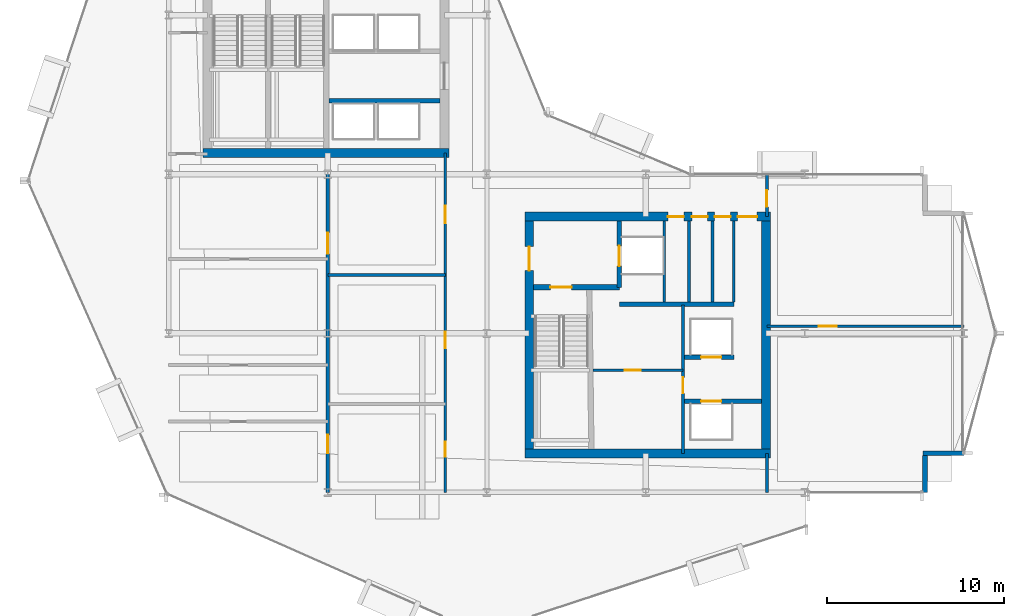
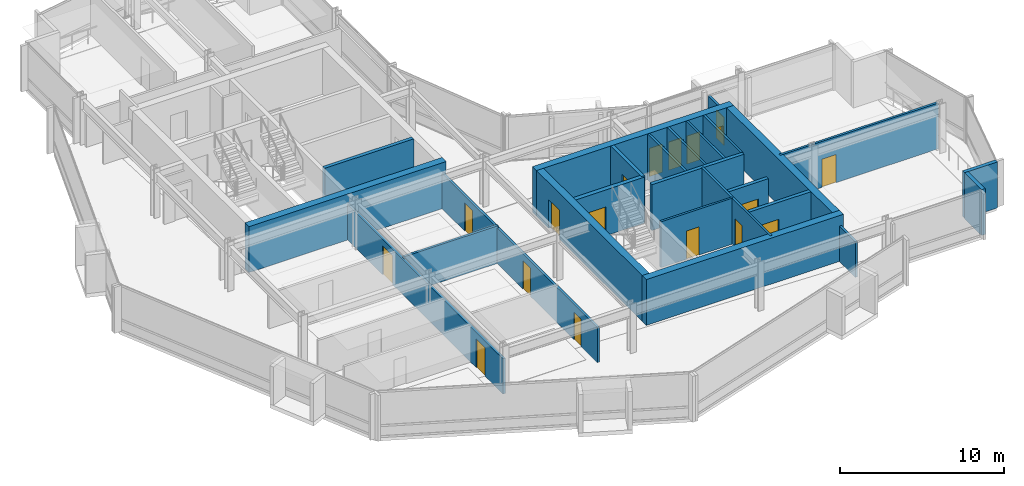
# One storey, part 22 of 28: 25 walls, 18 doors, 18 openings.
"""IFC4 building model written with IfcOpenShell, lengths in metres."""

from ifc_helpers import new_model, si_unit, direction, frame, frame_2d, origin, place, context, subcontext, project, spatial, rectangle, extrude, material, layer, layer_set, type_object, element, fill, save


model = new_model("IFC4")

# Units and contexts
model_context = context("Model", 3, precision=1e-05, world=origin(), true_north=direction((0.0, 1.0)))
body_context = subcontext(model_context, "Body", "Model", "MODEL_VIEW")
ifc_project = project(units=[si_unit("LENGTHUNIT", "METRE"), si_unit("AREAUNIT", "SQUARE_METRE"), si_unit("VOLUMEUNIT", "CUBIC_METRE"), si_unit("PLANEANGLEUNIT", "RADIAN"), si_unit("MASSUNIT", "GRAM", prefix="KILO")], contexts=[model_context])

# Site, building, storey
site_placement = place(None, origin())
site = spatial("IfcSite", under=ifc_project, at=site_placement, CompositionType="ELEMENT")
building_placement = place(site_placement, origin())
building = spatial("IfcBuilding", under=site, at=building_placement, Name="Solvaryn Broadcast Tower", CompositionType="ELEMENT")
storey_placement = place(building_placement, frame((0.0, 0.0, 135.89990234375)))
storey = spatial("IfcBuildingStorey", under=building, at=storey_placement, Name="L33", CompositionType="ELEMENT", Elevation=135.89990234375)

# Walls
ifc_material_1 = material(Name="Concrete f'c 70 MPa", Category="concrete")
ifc_layer_1 = layer(ifc_material_1, 0.5)
ifc_layer_set_1 = layer_set([ifc_layer_1], Name="CW-SHEAR-500")
wall_type_1 = type_object("IfcWallType", Name="CW-SHEAR-500", PredefinedType="SHEAR", material=ifc_layer_set_1)
for number, where, z_axis, x_axis, name in (
    (1, (10.949951171875, 28.199951171875, 0.0), (0.0, 0.0, 1.0), (1.0, 0.0, 0.0), "L33 West Core South Shear Wall"),
    (2, (29.14990234375, 11.199951171875, 0.0), (0.0, 0.0, 1.0), (1.0, 0.0, 0.0), "L33 East Core South Shear Wall"),
):
    element("IfcWall", number, at=place(storey_placement, frame(where, z_axis=z_axis, x_axis=x_axis)), inside=storey, type_object=wall_type_1, Name=name, PredefinedType="SHEAR", context=body_context, shape_type="SweptSolid", body=[
        extrude(rectangle(XDim=13.900146484375, YDim=0.5, at=frame_2d((6.9501953125, 0.0))), origin(), (0.0, 0.0, 1.0), 3.420166015625),
    ])

# Wall, openings, doors
wall_1_placement = place(storey_placement, frame((43.050048828125, 24.60009765625, 0.0), z_axis=(0.0, 0.0, 1.0), x_axis=(-1.0, 0.0, 0.0)))
wall_1 = element("IfcWall", 3, at=wall_1_placement, inside=storey, type_object=wall_type_1, Name="L33 East Core North Shear Wall", PredefinedType="SHEAR", context=body_context, shape_type="SweptSolid", body=[
    extrude(rectangle(XDim=13.900146484375, YDim=0.5, at=frame_2d((6.9501953125, 0.0))), origin(), (0.0, 0.0, 1.0), 3.420166015625),
])
opening_1_placement = place(wall_1_placement, frame((0.75, 0.0, 0.0)))
opening_1 = element("IfcOpeningElement", 4, at=opening_1_placement, cuts=wall_1, Name="Opening FD90C", PredefinedType="OPENING", context=body_context, shape_type="SweptSolid", body=[
    extrude(rectangle(XDim=1.10009765625, YDim=2.14990234375, at=frame_2d((0.550048828125, 1.074951171875))), frame((0.0, 0.260009765625, 0.0), z_axis=(0.0, -1.0, 0.0), x_axis=(1.0, 0.0, 0.0)), (0.0, 0.0, 1.0), 0.52001953125),
])
opening_2_placement = place(wall_1_placement, frame((2.25, 0.0, 0.0)))
opening_2 = element("IfcOpeningElement", 5, at=opening_2_placement, cuts=wall_1, Name="Opening FD60C", PredefinedType="OPENING", context=body_context, shape_type="SweptSolid", body=[
    extrude(rectangle(XDim=0.89990234375, YDim=2.10009765625, at=frame_2d((0.449951171875, 1.050048828125))), frame((0.0, 0.260009765625, 0.0), z_axis=(0.0, -1.0, 0.0), x_axis=(1.0, 0.0, 0.0)), (0.0, 0.0, 1.0), 0.52001953125),
])
opening_3_placement = place(wall_1_placement, frame((3.550048828125, 0.0, 0.0)))
opening_3 = element("IfcOpeningElement", 6, at=opening_3_placement, cuts=wall_1, Name="Opening FD60C", PredefinedType="OPENING", context=body_context, shape_type="SweptSolid", body=[
    extrude(rectangle(XDim=0.89990234375, YDim=2.10009765625, at=frame_2d((0.449951171875, 1.050048828125))), frame((0.0, 0.260009765625, 0.0), z_axis=(0.0, -1.0, 0.0), x_axis=(1.0, 0.0, 0.0)), (0.0, 0.0, 1.0), 0.52001953125),
])
opening_4_placement = place(wall_1_placement, frame((4.89990234375, 0.0, 0.0)))
opening_4 = element("IfcOpeningElement", 7, at=opening_4_placement, cuts=wall_1, Name="Opening FD60C", PredefinedType="OPENING", context=body_context, shape_type="SweptSolid", body=[
    extrude(rectangle(XDim=0.89990234375, YDim=2.10009765625, at=frame_2d((0.449951171875, 1.050048828125))), frame((0.0, 0.260009765625, 0.0), z_axis=(0.0, -1.0, 0.0), x_axis=(1.0, 0.0, 0.0)), (0.0, 0.0, 1.0), 0.52001953125),
])
ifc_material_2 = material(Name="Flush Acoustic Steel and Timber Door Assembly", Category="steel")
door_type_1 = type_object("IfcDoorType", Name="FD60-SERV-900X2100", OperationType="NOTDEFINED", PredefinedType="DOOR", material=ifc_material_2)
door_1_placement = place(opening_2_placement, origin())
door_1 = element("IfcDoor", 8, at=door_1_placement, inside=storey, type_object=door_type_1, Name="L33 Core Wellness Room Door", OperationType="SINGLE_SWING_RIGHT", OverallHeight=2.10009765625, OverallWidth=0.89990234375, PredefinedType="DOOR", context=body_context, shape_type="SweptSolid", body=[
    extrude(rectangle(XDim=0.89990234375, YDim=2.10009765625, at=frame_2d((0.449951171875, 1.050048828125))), frame((0.0, 0.02490234375, 0.0), z_axis=(0.0, -1.0, 0.0), x_axis=(1.0, 0.0, 0.0)), (0.0, 0.0, 1.0), 0.050048828125),
])
fill(opening_2, door_1)
door_2_placement = place(opening_3_placement, origin())
door_2 = element("IfcDoor", 9, at=door_2_placement, inside=storey, type_object=door_type_1, Name="L33 Staff Restroom Door", OperationType="SINGLE_SWING_LEFT", OverallHeight=2.10009765625, OverallWidth=0.89990234375, PredefinedType="DOOR", context=body_context, shape_type="SweptSolid", body=[
    extrude(rectangle(XDim=0.89990234375, YDim=2.10009765625, at=frame_2d((0.449951171875, 1.050048828125))), frame((0.0, 0.02490234375, 0.0), z_axis=(0.0, -1.0, 0.0), x_axis=(1.0, 0.0, 0.0)), (0.0, 0.0, 1.0), 0.050048828125),
])
fill(opening_3, door_2)
door_3_placement = place(opening_4_placement, origin())
door_3 = element("IfcDoor", 10, at=door_3_placement, inside=storey, type_object=door_type_1, Name="L33 Accessible WC Door", OperationType="SINGLE_SWING_RIGHT", OverallHeight=2.10009765625, OverallWidth=0.89990234375, PredefinedType="DOOR", context=body_context, shape_type="SweptSolid", body=[
    extrude(rectangle(XDim=0.89990234375, YDim=2.10009765625, at=frame_2d((0.449951171875, 1.050048828125))), frame((0.0, 0.02490234375, 0.0), z_axis=(0.0, -1.0, 0.0), x_axis=(1.0, 0.0, 0.0)), (0.0, 0.0, 1.0), 0.050048828125),
])
fill(opening_4, door_3)
ifc_material_3 = material(Name="Flush Acoustic Steel and Timber Door Assembly", Category="steel")
door_type_2 = type_object("IfcDoorType", Name="FD90-PLANT-1100X2150", OperationType="NOTDEFINED", PredefinedType="DOOR", material=ifc_material_3)
door_4_placement = place(opening_1_placement, origin())
door_4 = element("IfcDoor", 11, at=door_4_placement, inside=storey, type_object=door_type_2, Name="L33 East Core Lobby Corridor Door", OperationType="SINGLE_SWING_LEFT", OverallHeight=2.14990234375, OverallWidth=1.10009765625, PredefinedType="DOOR", context=body_context, shape_type="SweptSolid", body=[
    extrude(rectangle(XDim=1.10009765625, YDim=2.14990234375, at=frame_2d((0.550048828125, 1.074951171875))), frame((0.0, 0.02490234375, 0.0), z_axis=(0.0, -1.0, 0.0), x_axis=(1.0, 0.0, 0.0)), (0.0, 0.0, 1.0), 0.050048828125),
])
fill(opening_1, door_4)

# Wall, opening, door
wall_2_placement = place(storey_placement, frame((29.39990234375, 24.35009765625, 0.0), z_axis=(0.0, 0.0, 1.0), x_axis=(0.0, -1.0, 0.0)))
wall_2 = element("IfcWall", 12, at=wall_2_placement, inside=storey, type_object=wall_type_1, Name="L33 East Core West Shear Wall", PredefinedType="SHEAR", context=body_context, shape_type="SweptSolid", body=[
    extrude(rectangle(XDim=12.900146484375, YDim=0.5, at=frame_2d((6.4501953125, 0.0))), origin(), (0.0, 0.0, 1.0), 3.420166015625),
])
opening_5_placement = place(wall_2_placement, frame((1.449951171875, 0.0, 0.0)))
opening_5 = element("IfcOpeningElement", 13, at=opening_5_placement, cuts=wall_2, Name="Opening FD90B", PredefinedType="OPENING", context=body_context, shape_type="SweptSolid", body=[
    extrude(rectangle(XDim=1.35009765625, YDim=2.14990234375, at=frame_2d((0.675048828125, 1.074951171875))), frame((0.0, 0.260009765625, 0.0), z_axis=(0.0, -1.0, 0.0), x_axis=(1.0, 0.0, 0.0)), (0.0, 0.0, 1.0), 0.52001953125),
])
ifc_material_4 = material(Name="Flush Acoustic Steel and Timber Door Assembly", Category="steel")
door_type_3 = type_object("IfcDoorType", Name="FD90-LOBBY-1350X2150", OperationType="NOTDEFINED", PredefinedType="DOOR", material=ifc_material_4)
door_5_placement = place(opening_5_placement, origin())
door_5 = element("IfcDoor", 14, at=door_5_placement, inside=storey, type_object=door_type_3, Name="L33 East FSAE Lobby Door", OperationType="SINGLE_SWING_RIGHT", OverallHeight=2.14990234375, OverallWidth=1.35009765625, PredefinedType="DOOR", context=body_context, shape_type="SweptSolid", body=[
    extrude(rectangle(XDim=1.35009765625, YDim=2.14990234375, at=frame_2d((0.675048828125, 1.074951171875))), frame((0.0, 0.02490234375, 0.0), z_axis=(0.0, -1.0, 0.0), x_axis=(1.0, 0.0, 0.0)), (0.0, 0.0, 1.0), 0.050048828125),
])
fill(opening_5, door_5)

# Walls
wall_3_placement = place(storey_placement, frame((42.800048828125, 11.449951171875, 0.0), z_axis=(0.0, 0.0, 1.0), x_axis=(0.0, 1.0, 0.0)))
element("IfcWall", 15, at=wall_3_placement, inside=storey, type_object=wall_type_1, Name="L33 East Core East Shear Wall", PredefinedType="SHEAR", context=body_context, shape_type="SweptSolid", body=[
    extrude(rectangle(XDim=12.900146484375, YDim=0.5, at=frame_2d((6.4501953125, 0.0))), origin(), (0.0, 0.0, 1.0), 3.420166015625),
])
ifc_material_5 = material(Name="Concrete f'c 50 MPa", Category="concrete")
ifc_layer_2 = layer(ifc_material_5, 0.260009765625)
ifc_layer_set_2 = layer_set([ifc_layer_2], Name="EW-PIER-260")
wall_type_2 = type_object("IfcWallType", Name="EW-PIER-260", PredefinedType="SOLIDWALL", material=ifc_layer_set_2)
wall_4_placement = place(storey_placement, frame((51.800048828125, 9.0, 0.0), z_axis=(0.0, 0.0, 1.0), x_axis=(0.0, 1.0, 0.0)))
element("IfcWall", 16, at=wall_4_placement, inside=storey, type_object=wall_type_2, Name="L33 Notched Corner Pier Wall NSE1", PredefinedType="SOLIDWALL", context=body_context, shape_type="SweptSolid", body=[
    extrude(rectangle(XDim=2.080078125, YDim=0.260009765625, at=frame_2d((1.0400390625, 0.0))), origin(), (0.0, 0.0, 1.0), 3.420166015625),
])
wall_5_placement = place(storey_placement, frame((51.679931640625, 11.199951171875, 0.0), z_axis=(0.0, 0.0, 1.0), x_axis=(1.0, 0.0, 0.0)))
element("IfcWall", 17, at=wall_5_placement, inside=storey, type_object=wall_type_2, Name="L33 Notched Corner Pier Wall NSE2", PredefinedType="SOLIDWALL", context=body_context, shape_type="SweptSolid", body=[
    extrude(rectangle(XDim=2.320068359375, YDim=0.260009765625, at=frame_2d((1.16015625, 0.0))), origin(), (0.0, 0.0, 1.0), 3.420166015625),
])

# Wall, opening, door
ifc_material_6 = material(Name="Metal-Stud Service Core Partition")
ifc_layer_3 = layer(ifc_material_6, 0.14990234375)
ifc_layer_set_3 = layer_set([ifc_layer_3], Name="IW-PART-150")
wall_type_3 = type_object("IfcWallType", Name="IW-PART-150", PredefinedType="PARTITIONING", material=ifc_layer_set_3)
wall_6_placement = place(storey_placement, frame((33.0, 15.89990234375, 0.0), z_axis=(0.0, 0.0, 1.0), x_axis=(1.0, 0.0, 0.0)))
wall_6 = element("IfcWall", 18, at=wall_6_placement, inside=storey, type_object=wall_type_3, Name="L33 Interior Partition IW-L33-RPL-H", PredefinedType="PARTITIONING", context=body_context, shape_type="SweptSolid", body=[
    extrude(rectangle(XDim=5.10009765625, YDim=0.14990234375, at=frame_2d((2.550048828125, 0.0))), origin(), (0.0, 0.0, 1.0), 3.420166015625),
])
opening_6_placement = place(wall_6_placement, frame((1.800048828125, 0.0, 0.0)))
opening_6 = element("IfcOpeningElement", 19, at=opening_6_placement, cuts=wall_6, Name="Opening FD60C", PredefinedType="OPENING", context=body_context, shape_type="SweptSolid", body=[
    extrude(rectangle(XDim=0.89990234375, YDim=2.10009765625, at=frame_2d((0.449951171875, 1.050048828125))), frame((0.0, 0.0849609375, 0.0), z_axis=(0.0, -1.0, 0.0), x_axis=(1.0, 0.0, 0.0)), (0.0, 0.0, 1.0), 0.169921875),
])
door_6_placement = place(opening_6_placement, origin())
door_6 = element("IfcDoor", 20, at=door_6_placement, inside=storey, type_object=door_type_1, Name="L33 Door DR-L33-RPL1", OperationType="SINGLE_SWING_RIGHT", OverallHeight=2.10009765625, OverallWidth=0.89990234375, PredefinedType="DOOR", context=body_context, shape_type="SweptSolid", body=[
    extrude(rectangle(XDim=0.89990234375, YDim=2.10009765625, at=frame_2d((0.449951171875, 1.050048828125))), frame((0.0, 0.02490234375, 0.0), z_axis=(0.0, -1.0, 0.0), x_axis=(1.0, 0.0, 0.0)), (0.0, 0.0, 1.0), 0.050048828125),
])
fill(opening_6, door_6)

wall_7_placement = place(storey_placement, frame((38.10009765625, 11.199951171875, 0.0), z_axis=(0.0, 0.0, 1.0), x_axis=(0.0, 1.0, 0.0)))
wall_7 = element("IfcWall", 21, at=wall_7_placement, inside=storey, type_object=wall_type_3, Name="L33 Interior Partition IW-L33-RPL-E", PredefinedType="PARTITIONING", context=body_context, shape_type="SweptSolid", body=[
    extrude(rectangle(XDim=8.400146484375, YDim=0.14990234375, at=frame_2d((4.2001953125, 0.0))), origin(), (0.0, 0.0, 1.0), 3.420166015625),
])
opening_7_placement = place(wall_7_placement, frame((3.39990234375, 0.0, 0.0)))
opening_7 = element("IfcOpeningElement", 22, at=opening_7_placement, cuts=wall_7, Name="Opening FD60C", PredefinedType="OPENING", context=body_context, shape_type="SweptSolid", body=[
    extrude(rectangle(XDim=0.89990234375, YDim=2.10009765625, at=frame_2d((0.449951171875, 1.050048828125))), frame((0.0, 0.0849609375, 0.0), z_axis=(0.0, -1.0, 0.0), x_axis=(1.0, 0.0, 0.0)), (0.0, 0.0, 1.0), 0.169921875),
])
door_7_placement = place(opening_7_placement, origin())
door_7 = element("IfcDoor", 23, at=door_7_placement, inside=storey, type_object=door_type_1, Name="L33 Door DR-L33-RPL2", OperationType="SINGLE_SWING_LEFT", OverallHeight=2.10009765625, OverallWidth=0.89990234375, PredefinedType="DOOR", context=body_context, shape_type="SweptSolid", body=[
    extrude(rectangle(XDim=0.89990234375, YDim=2.10009765625, at=frame_2d((0.449951171875, 1.050048828125))), frame((0.0, 0.02490234375, 0.0), z_axis=(0.0, -1.0, 0.0), x_axis=(1.0, 0.0, 0.0)), (0.0, 0.0, 1.0), 0.050048828125),
])
fill(opening_7, door_7)

# Walls
for number, where, z_axis, x_axis, name in (
    (24, (37.050048828125, 19.780029296875, 0.0), (0.0, 0.0, 1.0), (0.0, 1.0, 0.0), "L33 Interior Partition IW-L33-CE-FL2E"),
    (25, (38.43994140625, 19.780029296875, 0.0), (0.0, 0.0, 1.0), (0.0, 1.0, 0.0), "L33 Interior Partition IW-L33-CE-V1"),
    (26, (39.77001953125, 19.780029296875, 0.0), (0.0, 0.0, 1.0), (0.0, 1.0, 0.0), "L33 Interior Partition IW-L33-CE-V2"),
    (27, (40.97998046875, 19.780029296875, 0.0), (0.0, 0.0, 1.0), (0.0, 1.0, 0.0), "L33 Interior Partition IW-L33-CE-V3"),
):
    element("IfcWall", number, at=place(storey_placement, frame(where, z_axis=z_axis, x_axis=x_axis)), inside=storey, type_object=wall_type_3, Name=name, PredefinedType="PARTITIONING", context=body_context, shape_type="SweptSolid", body=[
        extrude(rectangle(XDim=4.570068359375, YDim=0.14990234375, at=frame_2d((2.28515625, 0.0))), origin(), (0.0, 0.0, 1.0), 3.420166015625),
    ])

# Wall, openings, doors
ifc_material_7 = material(Name="Metal-Stud Gypsum Office Partition")
ifc_layer_4 = layer(ifc_material_7, 0.159912109375)
ifc_layer_set_4 = layer_set([ifc_layer_4], Name="IW-PART-160")
wall_type_4 = type_object("IfcWallType", Name="IW-PART-160", PredefinedType="PARTITIONING", material=ifc_layer_set_4)
wall_8_placement = place(storey_placement, frame((24.64990234375, 9.0, 0.0), z_axis=(0.0, 0.0, 1.0), x_axis=(0.0, 1.0, 0.0)))
wall_8 = element("IfcWall", 28, at=wall_8_placement, inside=storey, type_object=wall_type_4, Name="L33 Interior Partition IW-L33-SW-EB", PredefinedType="PARTITIONING", context=body_context, shape_type="SweptSolid", body=[
    extrude(rectangle(XDim=19.199951171875, YDim=0.159912109375, at=frame_2d((9.60009765625, 0.0))), origin(), (0.0, 0.0, 1.0), 2.634033203125),
])
opening_8_placement = place(wall_8_placement, frame((2.0, 0.0, 0.0)))
opening_8 = element("IfcOpeningElement", 29, at=opening_8_placement, cuts=wall_8, Name="Opening ID07", PredefinedType="OPENING", context=body_context, shape_type="SweptSolid", body=[
    extrude(rectangle(XDim=0.860107421875, YDim=2.050048828125, at=frame_2d((0.43017578125, 1.02490234375))), frame((0.0, 0.090087890625, 0.0), z_axis=(0.0, -1.0, 0.0), x_axis=(1.0, 0.0, 0.0)), (0.0, 0.0, 1.0), 0.179931640625),
])
opening_9_placement = place(wall_8_placement, frame((8.14990234375, 0.0, 0.0)))
opening_9 = element("IfcOpeningElement", 30, at=opening_9_placement, cuts=wall_8, Name="Opening ID01", PredefinedType="OPENING", context=body_context, shape_type="SweptSolid", body=[
    extrude(rectangle(XDim=0.949951171875, YDim=2.10009765625, at=frame_2d((0.47509765625, 1.050048828125))), frame((0.0, 0.090087890625, 0.0), z_axis=(0.0, -1.0, 0.0), x_axis=(1.0, 0.0, 0.0)), (0.0, 0.0, 1.0), 0.179931640625),
])
opening_10_placement = place(wall_8_placement, frame((15.215087890625, 0.0, 0.0)))
opening_10 = element("IfcOpeningElement", 31, at=opening_10_placement, cuts=wall_8, Name="Opening ID02", PredefinedType="OPENING", context=body_context, shape_type="SweptSolid", body=[
    extrude(rectangle(XDim=1.0, YDim=2.10009765625, at=frame_2d((0.5, 1.050048828125))), frame((0.0, 0.090087890625, 0.0), z_axis=(0.0, -1.0, 0.0), x_axis=(1.0, 0.0, 0.0)), (0.0, 0.0, 1.0), 0.179931640625),
])
ifc_material_8 = material(Name="Flush Acoustic Steel and Timber Door Assembly", Category="steel")
door_type_4 = type_object("IfcDoorType", Name="ID-01-950X2100", OperationType="NOTDEFINED", PredefinedType="DOOR", material=ifc_material_8)
door_8_placement = place(opening_9_placement, origin())
door_8 = element("IfcDoor", 32, at=door_8_placement, inside=storey, type_object=door_type_4, Name="L33 Door DR-L33-SWE-2", OperationType="SINGLE_SWING_RIGHT", OverallHeight=2.10009765625, OverallWidth=0.949951171875, PredefinedType="DOOR", context=body_context, shape_type="SweptSolid", body=[
    extrude(rectangle(XDim=0.949951171875, YDim=2.10009765625, at=frame_2d((0.47509765625, 1.050048828125))), frame((0.0, 0.02490234375, 0.0), z_axis=(0.0, -1.0, 0.0), x_axis=(1.0, 0.0, 0.0)), (0.0, 0.0, 1.0), 0.050048828125),
])
fill(opening_9, door_8)
ifc_material_9 = material(Name="Flush Acoustic Steel and Timber Door Assembly", Category="steel")
door_type_5 = type_object("IfcDoorType", Name="ID-02-1000X2100", OperationType="NOTDEFINED", PredefinedType="DOOR", material=ifc_material_9)
door_9_placement = place(opening_10_placement, origin())
door_9 = element("IfcDoor", 33, at=door_9_placement, inside=storey, type_object=door_type_5, Name="L33 Door DR-L33-SWE-3", OperationType="SINGLE_SWING_LEFT", OverallHeight=2.10009765625, OverallWidth=1.0, PredefinedType="DOOR", context=body_context, shape_type="SweptSolid", body=[
    extrude(rectangle(XDim=1.0, YDim=2.10009765625, at=frame_2d((0.5, 1.050048828125))), frame((0.0, 0.02490234375, 0.0), z_axis=(0.0, -1.0, 0.0), x_axis=(1.0, 0.0, 0.0)), (0.0, 0.0, 1.0), 0.050048828125),
])
fill(opening_10, door_9)
ifc_material_10 = material(Name="Flush Acoustic Steel and Timber Door Assembly", Category="steel")
door_type_6 = type_object("IfcDoorType", Name="ID-07-860X2050", OperationType="NOTDEFINED", PredefinedType="DOOR", material=ifc_material_10)
door_10_placement = place(opening_8_placement, origin())
door_10 = element("IfcDoor", 34, at=door_10_placement, inside=storey, type_object=door_type_6, Name="L33 Door DR-L33-SWE-1", OperationType="SINGLE_SWING_LEFT", OverallHeight=2.050048828125, OverallWidth=0.860107421875, PredefinedType="DOOR", context=body_context, shape_type="SweptSolid", body=[
    extrude(rectangle(XDim=0.860107421875, YDim=2.050048828125, at=frame_2d((0.43017578125, 1.02490234375))), frame((0.0, 0.02490234375, 0.0), z_axis=(0.0, -1.0, 0.0), x_axis=(1.0, 0.0, 0.0)), (0.0, 0.0, 1.0), 0.050048828125),
])
fill(opening_8, door_10)

# Walls
wall_9_placement = place(storey_placement, frame((18.0, 21.300048828125, 0.0), z_axis=(0.0, 0.0, 1.0), x_axis=(1.0, 0.0, 0.0)))
element("IfcWall", 35, at=wall_9_placement, inside=storey, type_object=wall_type_4, Name="L33 Interior Partition IW-L33-SWE-H2", PredefinedType="PARTITIONING", context=body_context, shape_type="SweptSolid", body=[
    extrude(rectangle(XDim=6.64990234375, YDim=0.159912109375, at=frame_2d((3.324951171875, 0.0))), origin(), (0.0, 0.0, 1.0), 2.7919921875),
])
wall_10_placement = place(storey_placement, frame((42.85009765625, 9.0, 0.0), z_axis=(0.0, 0.0, 1.0), x_axis=(0.0, 1.0, 0.0)))
element("IfcWall", 36, at=wall_10_placement, inside=storey, type_object=wall_type_4, Name="L33 Interior Partition IW-L33-SC-E", PredefinedType="PARTITIONING", context=body_context, shape_type="SweptSolid", body=[
    extrude(rectangle(XDim=2.199951171875, YDim=0.159912109375, at=frame_2d((1.10009765625, 0.0))), origin(), (0.0, 0.0, 1.0), 2.634033203125),
])

# Wall, opening, door
wall_11_placement = place(storey_placement, frame((42.85009765625, 24.60009765625, 0.0), z_axis=(0.0, 0.0, 1.0), x_axis=(0.0, 1.0, 0.0)))
wall_11 = element("IfcWall", 37, at=wall_11_placement, inside=storey, type_object=wall_type_4, Name="L33 Interior Partition IW-L33-EW-BN", PredefinedType="PARTITIONING", context=body_context, shape_type="SweptSolid", body=[
    extrude(rectangle(XDim=2.39990234375, YDim=0.159912109375, at=frame_2d((1.199951171875, 0.0))), origin(), (0.0, 0.0, 1.0), 2.634033203125),
])
opening_11_placement = place(wall_11_placement, frame((0.550048828125, 0.0, 0.0)))
opening_11 = element("IfcOpeningElement", 38, at=opening_11_placement, cuts=wall_11, Name="Opening ID01", PredefinedType="OPENING", context=body_context, shape_type="SweptSolid", body=[
    extrude(rectangle(XDim=0.949951171875, YDim=2.10009765625, at=frame_2d((0.47509765625, 1.050048828125))), frame((0.0, 0.090087890625, 0.0), z_axis=(0.0, -1.0, 0.0), x_axis=(1.0, 0.0, 0.0)), (0.0, 0.0, 1.0), 0.179931640625),
])
door_11_placement = place(opening_11_placement, origin())
door_11 = element("IfcDoor", 39, at=door_11_placement, inside=storey, type_object=door_type_4, Name="L33 Door DR-L33-EW0", OperationType="SINGLE_SWING_RIGHT", OverallHeight=2.10009765625, OverallWidth=0.949951171875, PredefinedType="DOOR", context=body_context, shape_type="SweptSolid", body=[
    extrude(rectangle(XDim=0.949951171875, YDim=2.10009765625, at=frame_2d((0.47509765625, 1.050048828125))), frame((0.0, 0.02490234375, 0.0), z_axis=(0.0, -1.0, 0.0), x_axis=(1.0, 0.0, 0.0)), (0.0, 0.0, 1.0), 0.050048828125),
])
fill(opening_11, door_11)

wall_12_placement = place(storey_placement, frame((42.85009765625, 18.39990234375, 0.0), z_axis=(0.0, 0.0, 1.0), x_axis=(1.0, 0.0, 0.0)))
wall_12 = element("IfcWall", 40, at=wall_12_placement, inside=storey, type_object=wall_type_4, Name="L33 Interior Partition IW-L33-EW-H1", PredefinedType="PARTITIONING", context=body_context, shape_type="SweptSolid", body=[
    extrude(rectangle(XDim=11.14990234375, YDim=0.159912109375, at=frame_2d((5.574951171875, 0.0))), origin(), (0.0, 0.0, 1.0), 3.420166015625),
])
opening_12_placement = place(wall_12_placement, frame((2.949951171875, 0.0, 0.0)))
opening_12 = element("IfcOpeningElement", 41, at=opening_12_placement, cuts=wall_12, Name="Opening ID02", PredefinedType="OPENING", context=body_context, shape_type="SweptSolid", body=[
    extrude(rectangle(XDim=1.0, YDim=2.10009765625, at=frame_2d((0.5, 1.050048828125))), frame((0.0, 0.090087890625, 0.0), z_axis=(0.0, -1.0, 0.0), x_axis=(1.0, 0.0, 0.0)), (0.0, 0.0, 1.0), 0.179931640625),
])
door_12_placement = place(opening_12_placement, origin())
door_12 = element("IfcDoor", 42, at=door_12_placement, inside=storey, type_object=door_type_5, Name="L33 Door DR-L33-EW-1", OperationType="SINGLE_SWING_LEFT", OverallHeight=2.10009765625, OverallWidth=1.0, PredefinedType="DOOR", context=body_context, shape_type="SweptSolid", body=[
    extrude(rectangle(XDim=1.0, YDim=2.10009765625, at=frame_2d((0.5, 1.050048828125))), frame((0.0, 0.02490234375, 0.0), z_axis=(0.0, -1.0, 0.0), x_axis=(1.0, 0.0, 0.0)), (0.0, 0.0, 1.0), 0.050048828125),
])
fill(opening_12, door_12)

# Wall, openings, doors
ifc_material_11 = material(Name="Acoustic Metal-Stud Gypsum Partition")
ifc_layer_5 = layer(ifc_material_11, 0.179931640625)
ifc_layer_set_5 = layer_set([ifc_layer_5], Name="IW-PART-180")
wall_type_5 = type_object("IfcWallType", Name="IW-PART-180", PredefinedType="PARTITIONING", material=ifc_layer_set_5)
wall_13_placement = place(storey_placement, frame((18.0, 9.0, 0.0), z_axis=(0.0, 0.0, 1.0), x_axis=(0.0, 1.0, 0.0)))
wall_13 = element("IfcWall", 43, at=wall_13_placement, inside=storey, type_object=wall_type_5, Name="L33 Interior Partition IW-L33-SW-VX", PredefinedType="PARTITIONING", context=body_context, shape_type="SweptSolid", body=[
    extrude(rectangle(XDim=19.1298828125, YDim=0.179931640625, at=frame_2d((9.56494140625, 0.0))), origin(), (0.0, 0.0, 1.0), 2.634033203125),
])
opening_13_placement = place(wall_13_placement, frame((2.199951171875, 0.0, 0.0)))
opening_13 = element("IfcOpeningElement", 44, at=opening_13_placement, cuts=wall_13, Name="Opening ID03", PredefinedType="OPENING", context=body_context, shape_type="SweptSolid", body=[
    extrude(rectangle(XDim=1.050048828125, YDim=2.14990234375, at=frame_2d((0.52490234375, 1.074951171875))), frame((0.0, 0.099853515625, 0.0), z_axis=(0.0, -1.0, 0.0), x_axis=(1.0, 0.0, 0.0)), (0.0, 0.0, 1.0), 0.199951171875),
])
opening_14_placement = place(wall_13_placement, frame((13.5, 0.0, 0.0)))
opening_14 = element("IfcOpeningElement", 45, at=opening_14_placement, cuts=wall_13, Name="Opening ID04", PredefinedType="OPENING", context=body_context, shape_type="SweptSolid", body=[
    extrude(rectangle(XDim=1.199951171875, YDim=2.14990234375, at=frame_2d((0.60009765625, 1.074951171875))), frame((0.0, 0.099853515625, 0.0), z_axis=(0.0, -1.0, 0.0), x_axis=(1.0, 0.0, 0.0)), (0.0, 0.0, 1.0), 0.199951171875),
])
ifc_material_12 = material(Name="Flush Acoustic Steel and Timber Door Assembly", Category="steel")
door_type_7 = type_object("IfcDoorType", Name="ID-03-1050X2150", OperationType="NOTDEFINED", PredefinedType="DOOR", material=ifc_material_12)
door_13_placement = place(opening_13_placement, origin())
door_13 = element("IfcDoor", 46, at=door_13_placement, inside=storey, type_object=door_type_7, Name="L33 Door DR-L33-SWW-X1", OperationType="SINGLE_SWING_RIGHT", OverallHeight=2.14990234375, OverallWidth=1.050048828125, PredefinedType="DOOR", context=body_context, shape_type="SweptSolid", body=[
    extrude(rectangle(XDim=1.050048828125, YDim=2.14990234375, at=frame_2d((0.52490234375, 1.074951171875))), frame((0.0, 0.02490234375, 0.0), z_axis=(0.0, -1.0, 0.0), x_axis=(1.0, 0.0, 0.0)), (0.0, 0.0, 1.0), 0.050048828125),
])
fill(opening_13, door_13)
ifc_material_13 = material(Name="Flush Acoustic Steel and Timber Door Assembly", Category="steel")
door_type_8 = type_object("IfcDoorType", Name="ID-04-1200X2150", OperationType="NOTDEFINED", PredefinedType="DOOR", material=ifc_material_13)
door_14_placement = place(opening_14_placement, origin())
door_14 = element("IfcDoor", 47, at=door_14_placement, inside=storey, type_object=door_type_8, Name="L33 Door DR-L33-SWW-X2", OperationType="SINGLE_SWING_LEFT", OverallHeight=2.14990234375, OverallWidth=1.199951171875, PredefinedType="DOOR", context=body_context, shape_type="SweptSolid", body=[
    extrude(rectangle(XDim=1.199951171875, YDim=2.14990234375, at=frame_2d((0.60009765625, 1.074951171875))), frame((0.0, 0.02490234375, 0.0), z_axis=(0.0, -1.0, 0.0), x_axis=(1.0, 0.0, 0.0)), (0.0, 0.0, 1.0), 0.050048828125),
])
fill(opening_14, door_14)

# Wall
ifc_material_14 = material(Name="Concrete f'c 60 MPa", Category="concrete")
ifc_layer_6 = layer(ifc_material_14, 0.25)
ifc_layer_set_6 = layer_set([ifc_layer_6], Name="SW-SHAFT-250")
wall_type_6 = type_object("IfcWallType", Name="SW-SHAFT-250", PredefinedType="PARTITIONING", material=ifc_layer_set_6)
wall_14_placement = place(storey_placement, frame((18.070068359375, 31.14990234375, 0.0), z_axis=(0.0, 0.0, 1.0), x_axis=(1.0, 0.0, 0.0)))
element("IfcWall", 48, at=wall_14_placement, inside=storey, type_object=wall_type_6, Name="L33 High-Rise Lift Bank South Wall", PredefinedType="PARTITIONING", context=body_context, shape_type="SweptSolid", body=[
    extrude(rectangle(XDim=6.280029296875, YDim=0.25, at=frame_2d((3.14013671875, 0.0))), origin(), (0.0, 0.0, 1.0), 3.420166015625),
])

# Wall, opening, door
wall_15_placement = place(storey_placement, frame((34.5, 20.60009765625, 0.0), z_axis=(0.0, 0.0, 1.0), x_axis=(0.0, 1.0, 0.0)))
wall_15 = element("IfcWall", 49, at=wall_15_placement, inside=storey, type_object=wall_type_6, Name="L33 East FSAE Lobby East Wall", PredefinedType="PARTITIONING", context=body_context, shape_type="SweptSolid", body=[
    extrude(rectangle(XDim=3.75, YDim=0.25, at=frame_2d((1.875, 0.0))), origin(), (0.0, 0.0, 1.0), 3.420166015625),
])
opening_15_placement = place(wall_15_placement, frame((1.199951171875, 0.0, 0.0)))
opening_15 = element("IfcOpeningElement", 50, at=opening_15_placement, cuts=wall_15, Name="Opening LD01", PredefinedType="OPENING", context=body_context, shape_type="SweptSolid", body=[
    extrude(rectangle(XDim=1.14990234375, YDim=2.14990234375, at=frame_2d((0.574951171875, 1.074951171875))), frame((0.0, 0.135009765625, 0.0), z_axis=(0.0, -1.0, 0.0), x_axis=(1.0, 0.0, 0.0)), (0.0, 0.0, 1.0), 0.27001953125),
])
ifc_material_15 = material(Name="Flush Acoustic Steel and Timber Door Assembly", Category="steel")
door_type_9 = type_object("IfcDoorType", Name="LD-LIFT-1150X2150", OperationType="NOTDEFINED", PredefinedType="DOOR", material=ifc_material_15)
door_15_placement = place(opening_15_placement, origin())
door_15 = element("IfcDoor", 51, at=door_15_placement, inside=storey, type_object=door_type_9, Name="L33 FL2 Lift Landing Door", OperationType="DOUBLE_DOOR_SLIDING", OverallHeight=2.14990234375, OverallWidth=1.14990234375, PredefinedType="DOOR", context=body_context, shape_type="SweptSolid", body=[
    extrude(rectangle(XDim=1.14990234375, YDim=2.14990234375, at=frame_2d((0.574951171875, 1.074951171875))), frame((0.0, 0.02490234375, 0.0), z_axis=(0.0, -1.0, 0.0), x_axis=(1.0, 0.0, 0.0)), (0.0, 0.0, 1.0), 0.050048828125),
])
fill(opening_15, door_15)

# Wall
wall_16_placement = place(storey_placement, frame((34.5, 19.64990234375, 0.0), z_axis=(0.0, 0.0, 1.0), x_axis=(1.0, 0.0, 0.0)))
element("IfcWall", 52, at=wall_16_placement, inside=storey, type_object=wall_type_6, Name="L33 East Core Restroom South Wall", PredefinedType="PARTITIONING", context=body_context, shape_type="SweptSolid", body=[
    extrude(rectangle(XDim=6.47998046875, YDim=0.25, at=frame_2d((3.239990234375, 0.0))), origin(), (0.0, 0.0, 1.0), 3.420166015625),
])

# Wall, opening, door
wall_17_placement = place(storey_placement, frame((38.199951171875, 14.14990234375, 0.0), z_axis=(0.0, 0.0, 1.0), x_axis=(1.0, 0.0, 0.0)))
wall_17 = element("IfcWall", 53, at=wall_17_placement, inside=storey, type_object=wall_type_6, Name="L33 East Lift Bank South Wall", PredefinedType="PARTITIONING", context=body_context, shape_type="SweptSolid", body=[
    extrude(rectangle(XDim=4.35009765625, YDim=0.25, at=frame_2d((2.175048828125, 0.0))), origin(), (0.0, 0.0, 1.0), 3.420166015625),
])
opening_16_placement = place(wall_17_placement, frame((0.925048828125, 0.0, 0.0)))
opening_16 = element("IfcOpeningElement", 54, at=opening_16_placement, cuts=wall_17, Name="Opening LD01", PredefinedType="OPENING", context=body_context, shape_type="SweptSolid", body=[
    extrude(rectangle(XDim=1.14990234375, YDim=2.14990234375, at=frame_2d((0.574951171875, 1.074951171875))), frame((0.0, 0.135009765625, 0.0), z_axis=(0.0, -1.0, 0.0), x_axis=(1.0, 0.0, 0.0)), (0.0, 0.0, 1.0), 0.27001953125),
])
door_16_placement = place(opening_16_placement, origin())
door_16 = element("IfcDoor", 55, at=door_16_placement, inside=storey, type_object=door_type_9, Name="L33 PM1 Lift Landing Door", OperationType="DOUBLE_DOOR_SLIDING", OverallHeight=2.14990234375, OverallWidth=1.14990234375, PredefinedType="DOOR", context=body_context, shape_type="SweptSolid", body=[
    extrude(rectangle(XDim=1.14990234375, YDim=2.14990234375, at=frame_2d((0.574951171875, 1.074951171875))), frame((0.0, 0.02490234375, 0.0), z_axis=(0.0, -1.0, 0.0), x_axis=(1.0, 0.0, 0.0)), (0.0, 0.0, 1.0), 0.050048828125),
])
fill(opening_16, door_16)

wall_18_placement = place(storey_placement, frame((40.97998046875, 16.64990234375, 0.0), z_axis=(0.0, 0.0, 1.0), x_axis=(-1.0, 0.0, 0.0)))
wall_18 = element("IfcWall", 56, at=wall_18_placement, inside=storey, type_object=wall_type_6, Name="L33 East Lift Bank North Wall", PredefinedType="PARTITIONING", context=body_context, shape_type="SweptSolid", body=[
    extrude(rectangle(XDim=2.780029296875, YDim=0.25, at=frame_2d((1.39013671875, 0.0))), origin(), (0.0, 0.0, 1.0), 3.420166015625),
])
opening_17_placement = place(wall_18_placement, frame((0.705078125, 0.0, 0.0)))
opening_17 = element("IfcOpeningElement", 57, at=opening_17_placement, cuts=wall_18, Name="Opening LD01", PredefinedType="OPENING", context=body_context, shape_type="SweptSolid", body=[
    extrude(rectangle(XDim=1.14990234375, YDim=2.14990234375, at=frame_2d((0.574951171875, 1.074951171875))), frame((0.0, 0.135009765625, 0.0), z_axis=(0.0, -1.0, 0.0), x_axis=(1.0, 0.0, 0.0)), (0.0, 0.0, 1.0), 0.27001953125),
])
door_17_placement = place(opening_17_placement, origin())
door_17 = element("IfcDoor", 58, at=door_17_placement, inside=storey, type_object=door_type_9, Name="L33 PM2 Lift Landing Door", OperationType="DOUBLE_DOOR_SLIDING", OverallHeight=2.14990234375, OverallWidth=1.14990234375, PredefinedType="DOOR", context=body_context, shape_type="SweptSolid", body=[
    extrude(rectangle(XDim=1.14990234375, YDim=2.14990234375, at=frame_2d((0.574951171875, 1.074951171875))), frame((0.0, 0.02490234375, 0.0), z_axis=(0.0, -1.0, 0.0), x_axis=(1.0, 0.0, 0.0)), (0.0, 0.0, 1.0), 0.050048828125),
])
fill(opening_17, door_17)

ifc_material_16 = material(Name="Concrete f'c 70 MPa", Category="concrete")
ifc_layer_7 = layer(ifc_material_16, 0.300048828125)
ifc_layer_set_7 = layer_set([ifc_layer_7], Name="SW-SHAFT-300")
wall_type_7 = type_object("IfcWallType", Name="SW-SHAFT-300", PredefinedType="SHEAR", material=ifc_layer_set_7)
wall_19_placement = place(storey_placement, frame((34.5, 20.60009765625, 0.0), z_axis=(0.0, 0.0, 1.0), x_axis=(-1.0, 0.0, 0.0)))
wall_19 = element("IfcWall", 59, at=wall_19_placement, inside=storey, type_object=wall_type_7, Name="L33 East FSAE Lobby South Wall", PredefinedType="SHEAR", context=body_context, shape_type="SweptSolid", body=[
    extrude(rectangle(XDim=4.85009765625, YDim=0.300048828125, at=frame_2d((2.425048828125, 0.0))), origin(), (0.0, 0.0, 1.0), 3.420166015625),
])
opening_18_placement = place(wall_19_placement, frame((2.699951171875, 0.0, 0.0)))
opening_18 = element("IfcOpeningElement", 60, at=opening_18_placement, cuts=wall_19, Name="Opening FD90A", PredefinedType="OPENING", context=body_context, shape_type="SweptSolid", body=[
    extrude(rectangle(XDim=1.199951171875, YDim=2.14990234375, at=frame_2d((0.60009765625, 1.074951171875))), frame((0.0, 0.159912109375, 0.0), z_axis=(0.0, -1.0, 0.0), x_axis=(1.0, 0.0, 0.0)), (0.0, 0.0, 1.0), 0.320068359375),
])
ifc_material_17 = material(Name="Flush Acoustic Steel and Timber Door Assembly", Category="steel")
door_type_10 = type_object("IfcDoorType", Name="FD90-STAIR-1200X2150", OperationType="NOTDEFINED", PredefinedType="DOOR", material=ifc_material_17)
door_18_placement = place(opening_18_placement, origin())
door_18 = element("IfcDoor", 61, at=door_18_placement, inside=storey, type_object=door_type_10, Name="L33 Stair 3 Fire Door", OperationType="SINGLE_SWING_LEFT", OverallHeight=2.14990234375, OverallWidth=1.199951171875, PredefinedType="DOOR", context=body_context, shape_type="SweptSolid", body=[
    extrude(rectangle(XDim=1.199951171875, YDim=2.14990234375, at=frame_2d((0.60009765625, 1.074951171875))), frame((0.0, 0.02490234375, 0.0), z_axis=(0.0, -1.0, 0.0), x_axis=(1.0, 0.0, 0.0)), (0.0, 0.0, 1.0), 0.050048828125),
])
fill(opening_18, door_18)

save(model, "model.ifc")
